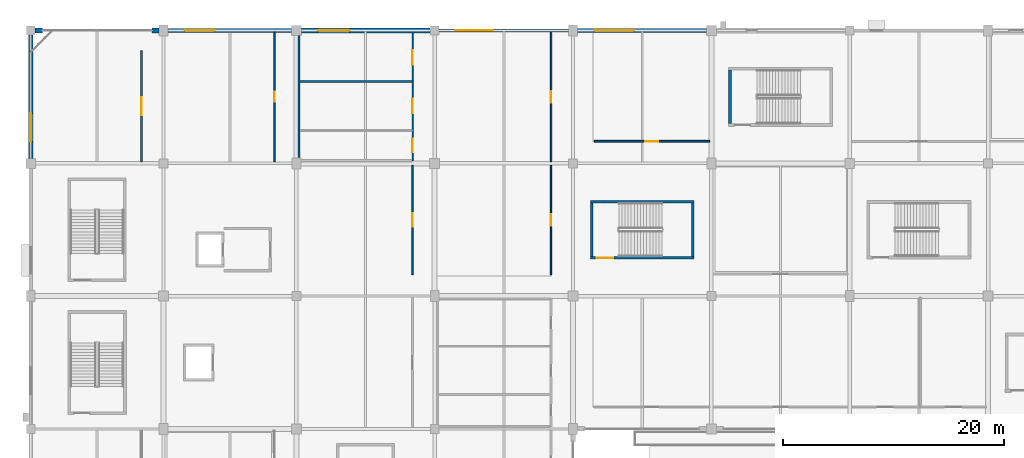
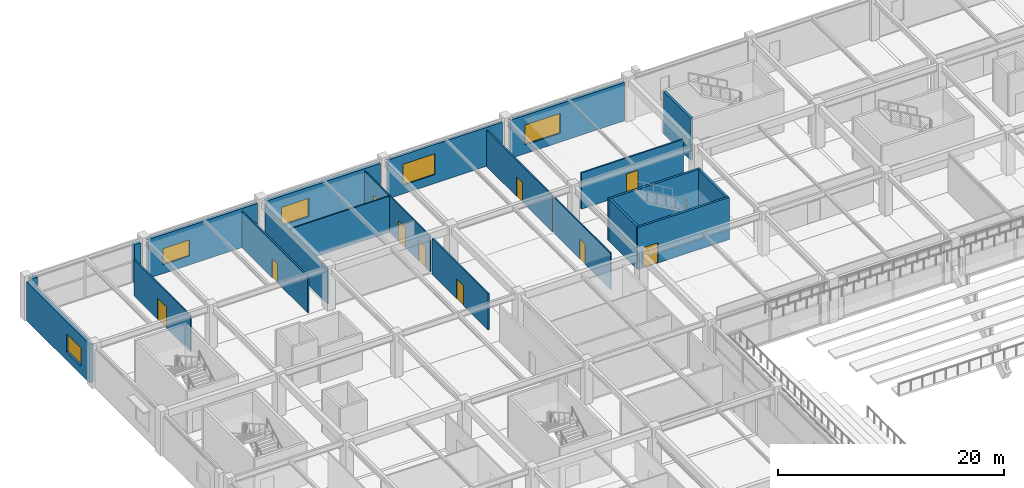
# One storey, part 88 of 134: 21 walls, 10 doors, 5 windows, 15 openings.
"""IFC4 building model written with IfcOpenShell, lengths in metres."""

from ifc_helpers import new_model, si_unit, direction, frame, frame_2d, origin, place, context, subcontext, project, spatial, rectangle, extrude, material, layer, layer_set, type_object, element, fill, save


model = new_model("IFC4")

# Units and contexts
model_context = context("Model", 3, precision=1e-05, world=origin(), true_north=direction((0.0, 1.0)))
body_context = subcontext(model_context, "Body", "Model", "MODEL_VIEW")
ifc_project = project(units=[si_unit("LENGTHUNIT", "METRE"), si_unit("AREAUNIT", "SQUARE_METRE"), si_unit("VOLUMEUNIT", "CUBIC_METRE"), si_unit("PLANEANGLEUNIT", "RADIAN"), si_unit("MASSUNIT", "GRAM", prefix="KILO")], contexts=[model_context])

# Site, building, storey
site_placement = place(None, origin())
site = spatial("IfcSite", under=ifc_project, at=site_placement, CompositionType="ELEMENT")
building_placement = place(site_placement, origin())
building = spatial("IfcBuilding", under=site, at=building_placement, Name="Kazenohara Klinker Stadium", CompositionType="ELEMENT")
storey_placement = place(building_placement, frame((0.0, 0.0, 5.39990234375)))
storey = spatial("IfcBuildingStorey", under=building, at=storey_placement, Name="L01", CompositionType="ELEMENT", Elevation=5.39990234375)

# Wall, opening, door
ifc_material_1 = material(Name="Concrete C40/50", Category="concrete")
ifc_layer_1 = layer(ifc_material_1, 0.22998046875)
ifc_layer_set_1 = layer_set([ifc_layer_1], Name="Concrete C40/50")
wall_type_1 = type_object("IfcWallType", Name="WAL-CORE-230", PredefinedType="SHEAR", material=ifc_layer_set_1)
wall_1_placement = place(storey_placement, frame((50.570068359375, 147.455078125, 0.0), z_axis=(0.0, 0.0, 1.0), x_axis=(1.0, 0.0, 0.0)))
wall_1 = element("IfcWall", 1, at=wall_1_placement, inside=storey, type_object=wall_type_1, Name="Stairwell shear wall ST08 L01 South", PredefinedType="SHEAR", context=body_context, shape_type="SweptSolid", body=[
    extrude(rectangle(XDim=9.35986328125, YDim=0.22998046875, at=frame_2d((4.679931640625, 0.0))), origin(), (0.0, 0.0, 1.0), 4.550048828125),
])
opening_1_placement = place(wall_1_placement, frame((0.550048828125, 0.0, 0.0)))
opening_1 = element("IfcOpeningElement", 2, at=opening_1_placement, cuts=wall_1, Name="Opening SD02", PredefinedType="OPENING", context=body_context, shape_type="SweptSolid", body=[
    extrude(rectangle(XDim=1.5, YDim=2.199951171875, at=frame_2d((0.75, 1.10009765625))), frame((0.0, 0.125, 0.0), z_axis=(0.0, -1.0, 0.0), x_axis=(1.0, 0.0, 0.0)), (0.0, 0.0, 1.0), 0.25),
])
ifc_material_2 = material(Name="Flush painted steel fire door leaf", Category="steel")
door_type_1 = type_object("IfcDoorType", Name="DR-STR-1500x2200", OperationType="NOTDEFINED", PredefinedType="DOOR", material=ifc_material_2)
door_1_placement = place(opening_1_placement, origin())
door_1 = element("IfcDoor", 3, at=door_1_placement, inside=storey, type_object=door_type_1, Name="Escape stairwell fire door ST08-L01", OperationType="SINGLE_SWING_RIGHT", OverallHeight=2.199951171875, OverallWidth=1.5, PredefinedType="DOOR", context=body_context, shape_type="SweptSolid", body=[
    extrude(rectangle(XDim=1.5, YDim=2.199951171875, at=frame_2d((0.75, 1.10009765625))), frame((0.0, 0.02490234375, 0.0), z_axis=(0.0, -1.0, 0.0), x_axis=(1.0, 0.0, 0.0)), (0.0, 0.0, 1.0), 0.050048828125),
])
fill(opening_1, door_1)

# Walls
wall_2_placement = place(storey_placement, frame((50.570068359375, 152.544921875, 0.0), z_axis=(0.0, 0.0, 1.0), x_axis=(1.0, 0.0, 0.0)))
element("IfcWall", 4, at=wall_2_placement, inside=storey, type_object=wall_type_1, Name="Stairwell shear wall ST08 L01 North", PredefinedType="SHEAR", context=body_context, shape_type="SweptSolid", body=[
    extrude(rectangle(XDim=9.35986328125, YDim=0.22998046875, at=frame_2d((4.679931640625, 0.0))), origin(), (0.0, 0.0, 1.0), 4.550048828125),
])
for number, where, z_axis, x_axis, name in (
    (5, (50.68505859375, 147.570068359375, 0.0), (0.0, 0.0, 1.0), (0.0, 1.0, 0.0), "Stairwell shear wall ST08 L01 West"),
    (6, (59.81494140625, 147.570068359375, 0.0), (0.0, 0.0, 1.0), (0.0, 1.0, 0.0), "Stairwell shear wall ST08 L01 East"),
):
    element("IfcWall", number, at=place(storey_placement, frame(where, z_axis=z_axis, x_axis=x_axis)), inside=storey, type_object=wall_type_1, Name=name, PredefinedType="SHEAR", context=body_context, shape_type="SweptSolid", body=[
        extrude(rectangle(XDim=4.85986328125, YDim=0.22998046875, at=frame_2d((2.429931640625, 0.0))), origin(), (0.0, 0.0, 1.0), 4.550048828125),
    ])
ifc_layer_2 = layer(ifc_material_1, 0.25)
ifc_layer_set_2 = layer_set([ifc_layer_2], Name="Concrete C40/50")
wall_type_2 = type_object("IfcWallType", Name="WAL-CORE-250", PredefinedType="SHEAR", material=ifc_layer_set_2)
wall_3_placement = place(storey_placement, frame((63.175048828125, 159.580078125, 0.0), z_axis=(0.0, 0.0, 1.0), x_axis=(0.0, 1.0, 0.0)))
element("IfcWall", 7, at=wall_3_placement, inside=storey, type_object=wall_type_2, Name="Stairwell shear wall ST15 L01 West", PredefinedType="SHEAR", context=body_context, shape_type="SweptSolid", body=[
    extrude(rectangle(XDim=4.83984375, YDim=0.25, at=frame_2d((2.419921875, 0.0))), origin(), (0.0, 0.0, 1.0), 4.550048828125),
])

# Wall, opening, window
ifc_material_3 = material(Name="Clinker brick masonry", Category="masonry")
ifc_layer_3 = layer(ifc_material_3, 0.280029296875)
ifc_layer_set_3 = layer_set([ifc_layer_3], Name="Clinker brick masonry")
wall_type_3 = type_object("IfcWallType", Name="WAL-EXT-CB280", PredefinedType="SOLIDWALL", material=ifc_layer_set_3)
wall_4_placement = place(storey_placement, frame((36.904052734375, 168.0, 0.0), z_axis=(0.0, 0.0, 1.0), x_axis=(1.0, 0.0, 0.0)))
wall_4 = element("IfcWall", 8, at=wall_4_placement, inside=storey, type_object=wall_type_3, Name="Clinker brick cavity wall EW06 L01 X3-14", PredefinedType="SOLIDWALL", context=body_context, shape_type="SweptSolid", body=[
    extrude(rectangle(XDim=11.69189453125, YDim=0.280029296875, at=frame_2d((5.845947265625, 0.0))), origin(), (0.0, 0.0, 1.0), 4.2001953125),
])
opening_2_placement = place(wall_4_placement, frame((1.5, 0.0, 0.949951171875)))
opening_2 = element("IfcOpeningElement", 9, at=opening_2_placement, cuts=wall_4, Name="Opening W34", PredefinedType="OPENING", context=body_context, shape_type="SweptSolid", body=[
    extrude(rectangle(XDim=3.300048828125, YDim=2.25, at=frame_2d((1.64990234375, 1.125))), frame((0.0, 0.14990234375, 0.0), z_axis=(0.0, -1.0, 0.0), x_axis=(1.0, 0.0, 0.0)), (0.0, 0.0, 1.0), 0.300048828125),
])
ifc_material_4 = material(Name="Dark bronze aluminium frame and triple glazing", Category="aluminium")
window_type_1 = type_object("IfcWindowType", Name="WIN-AS-34", PartitioningType="SINGLE_PANEL", PredefinedType="WINDOW", material=ifc_material_4)
window_1_placement = place(opening_2_placement, origin())
window_1 = element("IfcWindow", 10, at=window_1_placement, inside=storey, type_object=window_type_1, Name="Horizontal-mullion ladder window W34 L01 X3-14", OverallHeight=2.25, OverallWidth=3.300048828125, PartitioningType="SINGLE_PANEL", PredefinedType="WINDOW", context=body_context, shape_type="SweptSolid", body=[
    extrude(rectangle(XDim=3.300048828125, YDim=2.25, at=frame_2d((1.64990234375, 1.125))), frame((0.0, 0.030029296875, 0.0), z_axis=(0.0, -1.0, 0.0), x_axis=(1.0, 0.0, 0.0)), (0.0, 0.0, 1.0), 0.06005859375),
])
fill(opening_2, window_1)

ifc_layer_4 = layer(ifc_material_3, 0.340087890625)
ifc_layer_set_4 = layer_set([ifc_layer_4], Name="Clinker brick masonry")
wall_type_4 = type_object("IfcWallType", Name="WAL-EXT-CB340", PredefinedType="SOLIDWALL", material=ifc_layer_set_4)
wall_5_placement = place(storey_placement, frame((12.404052734375, 168.0, 0.0), z_axis=(0.0, 0.0, 1.0), x_axis=(1.0, 0.0, 0.0)))
wall_5 = element("IfcWall", 11, at=wall_5_placement, inside=storey, type_object=wall_type_4, Name="Clinker brick cavity wall EW04 L01 X1-14", PredefinedType="SOLIDWALL", context=body_context, shape_type="SweptSolid", body=[
    extrude(rectangle(XDim=11.141845703125, YDim=0.340087890625, at=frame_2d((5.57080078125, 0.0))), origin(), (0.0, 0.0, 1.0), 4.2001953125),
])
opening_3_placement = place(wall_5_placement, frame((1.5, 0.0, 0.949951171875)))
opening_3 = element("IfcOpeningElement", 12, at=opening_3_placement, cuts=wall_5, Name="Opening W27", PredefinedType="OPENING", context=body_context, shape_type="SweptSolid", body=[
    extrude(rectangle(XDim=2.699951171875, YDim=1.75, at=frame_2d((1.35009765625, 0.875))), frame((0.0, 0.18017578125, 0.0), z_axis=(0.0, -1.0, 0.0), x_axis=(1.0, 0.0, 0.0)), (0.0, 0.0, 1.0), 0.360107421875),
])
window_type_2 = type_object("IfcWindowType", Name="WIN-AS-27", PartitioningType="SINGLE_PANEL", PredefinedType="WINDOW", material=ifc_material_4)
window_2_placement = place(opening_3_placement, origin())
window_2 = element("IfcWindow", 13, at=window_2_placement, inside=storey, type_object=window_type_2, Name="Horizontal-mullion ladder window W27 L01 X1-14", OverallHeight=1.75, OverallWidth=2.699951171875, PartitioningType="SINGLE_PANEL", PredefinedType="WINDOW", context=body_context, shape_type="SweptSolid", body=[
    extrude(rectangle(XDim=2.699951171875, YDim=1.75, at=frame_2d((1.35009765625, 0.875))), frame((0.0, 0.030029296875, 0.0), z_axis=(0.0, -1.0, 0.0), x_axis=(1.0, 0.0, 0.0)), (0.0, 0.0, 1.0), 0.06005859375),
])
fill(opening_3, window_2)

wall_6_placement = place(storey_placement, frame((49.404052734375, 168.0, 0.0), z_axis=(0.0, 0.0, 1.0), x_axis=(1.0, 0.0, 0.0)))
wall_6 = element("IfcWall", 14, at=wall_6_placement, inside=storey, type_object=wall_type_4, Name="Clinker brick cavity wall EW04 L01 X4-14", PredefinedType="SOLIDWALL", context=body_context, shape_type="SweptSolid", body=[
    extrude(rectangle(XDim=11.641845703125, YDim=0.340087890625, at=frame_2d((5.82080078125, 0.0))), origin(), (0.0, 0.0, 1.0), 4.150146484375),
])
opening_4_placement = place(wall_6_placement, frame((1.5, 0.0, 0.949951171875)))
opening_4 = element("IfcOpeningElement", 15, at=opening_4_placement, cuts=wall_6, Name="Opening W36", PredefinedType="OPENING", context=body_context, shape_type="SweptSolid", body=[
    extrude(rectangle(XDim=3.60009765625, YDim=2.14990234375, at=frame_2d((1.800048828125, 1.074951171875))), frame((0.0, 0.18017578125, 0.0), z_axis=(0.0, -1.0, 0.0), x_axis=(1.0, 0.0, 0.0)), (0.0, 0.0, 1.0), 0.360107421875),
])
window_type_3 = type_object("IfcWindowType", Name="WIN-AS-36", PartitioningType="SINGLE_PANEL", PredefinedType="WINDOW", material=ifc_material_4)
window_3_placement = place(opening_4_placement, origin())
window_3 = element("IfcWindow", 16, at=window_3_placement, inside=storey, type_object=window_type_3, Name="Horizontal-mullion ladder window W36 L01 X4-14", OverallHeight=2.14990234375, OverallWidth=3.60009765625, PartitioningType="SINGLE_PANEL", PredefinedType="WINDOW", context=body_context, shape_type="SweptSolid", body=[
    extrude(rectangle(XDim=3.60009765625, YDim=2.14990234375, at=frame_2d((1.800048828125, 1.074951171875))), frame((0.0, 0.030029296875, 0.0), z_axis=(0.0, -1.0, 0.0), x_axis=(1.0, 0.0, 0.0)), (0.0, 0.0, 1.0), 0.06005859375),
])
fill(opening_4, window_3)

# Walls
ifc_layer_5 = layer(ifc_material_3, 0.409912109375)
ifc_layer_set_5 = layer_set([ifc_layer_5], Name="Clinker brick masonry")
wall_type_5 = type_object("IfcWallType", Name="WAL-EXT-CB410", PredefinedType="SOLIDWALL", material=ifc_layer_set_5)
for number, where, z_axis, x_axis, name in (
    (17, (0.404052734375, 168.0, 0.0), (0.0, 0.0, 1.0), (1.0, 0.0, 0.0), "Clinker brick curtain-wall jamb pier L01 X0-14 A"),
    (18, (10.946044921875, 168.0, 0.0), (0.0, 0.0, 1.0), (1.0, 0.0, 0.0), "Clinker brick curtain-wall jamb pier L01 X0-14 B"),
):
    element("IfcWall", number, at=place(storey_placement, frame(where, z_axis=z_axis, x_axis=x_axis)), inside=storey, type_object=wall_type_5, Name=name, PredefinedType="SOLIDWALL", context=body_context, shape_type="SweptSolid", body=[
        extrude(rectangle(XDim=0.64990234375, YDim=0.409912109375, at=frame_2d((0.324951171875, 0.0))), origin(), (0.0, 0.0, 1.0), 4.150146484375),
    ])

# Wall, opening, window
wall_7_placement = place(storey_placement, frame((0.0, 156.4541015625, 0.0), z_axis=(0.0, 0.0, 1.0), x_axis=(0.0, 1.0, 0.0)))
wall_7 = element("IfcWall", 19, at=wall_7_placement, inside=storey, type_object=wall_type_5, Name="Clinker brick cavity wall EW02 L01 Y0-13", PredefinedType="SOLIDWALL", context=body_context, shape_type="SweptSolid", body=[
    extrude(rectangle(XDim=11.141845703125, YDim=0.409912109375, at=frame_2d((5.57080078125, 0.0))), origin(), (0.0, 0.0, 1.0), 4.2001953125),
])
opening_5_placement = place(wall_7_placement, frame((1.5, 0.0, 0.949951171875)))
opening_5 = element("IfcOpeningElement", 20, at=opening_5_placement, cuts=wall_7, Name="Opening W26", PredefinedType="OPENING", context=body_context, shape_type="SweptSolid", body=[
    extrude(rectangle(XDim=2.550048828125, YDim=1.949951171875, at=frame_2d((1.27490234375, 0.97509765625))), frame((0.0, 0.21484375, 0.0), z_axis=(0.0, -1.0, 0.0), x_axis=(1.0, 0.0, 0.0)), (0.0, 0.0, 1.0), 0.429931640625),
])
window_type_4 = type_object("IfcWindowType", Name="WIN-AS-26", PartitioningType="SINGLE_PANEL", PredefinedType="WINDOW", material=ifc_material_4)
window_4_placement = place(opening_5_placement, origin())
window_4 = element("IfcWindow", 21, at=window_4_placement, inside=storey, type_object=window_type_4, Name="Horizontal-mullion ladder window W26 L01 Y0-13", OverallHeight=1.949951171875, OverallWidth=2.550048828125, PartitioningType="SINGLE_PANEL", PredefinedType="WINDOW", context=body_context, shape_type="SweptSolid", body=[
    extrude(rectangle(XDim=2.550048828125, YDim=1.949951171875, at=frame_2d((1.27490234375, 0.97509765625))), frame((0.0, 0.030029296875, 0.0), z_axis=(0.0, -1.0, 0.0), x_axis=(1.0, 0.0, 0.0)), (0.0, 0.0, 1.0), 0.06005859375),
])
fill(opening_5, window_4)

wall_8_placement = place(storey_placement, frame((24.4541015625, 168.0, 0.0), z_axis=(0.0, 0.0, 1.0), x_axis=(1.0, 0.0, 0.0)))
wall_8 = element("IfcWall", 22, at=wall_8_placement, inside=storey, type_object=wall_type_5, Name="Clinker brick cavity wall EW02 L01 X2-14", PredefinedType="SOLIDWALL", context=body_context, shape_type="SweptSolid", body=[
    extrude(rectangle(XDim=11.641845703125, YDim=0.409912109375, at=frame_2d((5.82080078125, 0.0))), origin(), (0.0, 0.0, 1.0), 4.150146484375),
])
opening_6_placement = place(wall_8_placement, frame((1.5, 0.0, 0.949951171875)))
opening_6 = element("IfcOpeningElement", 23, at=opening_6_placement, cuts=wall_8, Name="Opening W29", PredefinedType="OPENING", context=body_context, shape_type="SweptSolid", body=[
    extrude(rectangle(XDim=2.85009765625, YDim=2.0, at=frame_2d((1.425048828125, 1.0))), frame((0.0, 0.21484375, 0.0), z_axis=(0.0, -1.0, 0.0), x_axis=(1.0, 0.0, 0.0)), (0.0, 0.0, 1.0), 0.429931640625),
])
window_type_5 = type_object("IfcWindowType", Name="WIN-AS-29", PartitioningType="SINGLE_PANEL", PredefinedType="WINDOW", material=ifc_material_4)
window_5_placement = place(opening_6_placement, origin())
window_5 = element("IfcWindow", 24, at=window_5_placement, inside=storey, type_object=window_type_5, Name="Horizontal-mullion ladder window W29 L01 X2-14", OverallHeight=2.0, OverallWidth=2.85009765625, PartitioningType="SINGLE_PANEL", PredefinedType="WINDOW", context=body_context, shape_type="SweptSolid", body=[
    extrude(rectangle(XDim=2.85009765625, YDim=2.0, at=frame_2d((1.425048828125, 1.0))), frame((0.0, 0.030029296875, 0.0), z_axis=(0.0, -1.0, 0.0), x_axis=(1.0, 0.0, 0.0)), (0.0, 0.0, 1.0), 0.06005859375),
])
fill(opening_6, window_5)

# Wall, openings, doors
ifc_material_5 = material(Name="Fire-rated gypsum board on acoustic studs", Category="gypsum")
ifc_layer_6 = layer(ifc_material_5, 0.110107421875)
ifc_layer_set_6 = layer_set([ifc_layer_6], Name="Fire-rated gypsum board on acoustic studs")
wall_type_6 = type_object("IfcWallType", Name="WAL-INT-P110", PredefinedType="PARTITIONING", material=ifc_layer_set_6)
wall_9_placement = place(storey_placement, frame((34.510009765625, 156.239990234375, 0.0), z_axis=(0.0, 0.0, 1.0), x_axis=(0.0, 1.0, 0.0)))
wall_9 = element("IfcWall", 25, at=wall_9_placement, inside=storey, type_object=wall_type_6, Name="Interior partition wall PT01 SPC-L01-02-13-1-3", PredefinedType="PARTITIONING", context=body_context, shape_type="SweptSolid", body=[
    extrude(rectangle(XDim=11.552978515625, YDim=0.110107421875, at=frame_2d((5.7763671875, 0.0))), origin(), (0.0, 0.0, 1.0), 3.920166015625),
])
opening_7_placement = place(wall_9_placement, frame((0.753173828125, 0.0, 0.0)))
opening_7 = element("IfcOpeningElement", 26, at=opening_7_placement, cuts=wall_9, Name="Opening ID13", PredefinedType="OPENING", context=body_context, shape_type="SweptSolid", body=[
    extrude(rectangle(XDim=1.239990234375, YDim=2.219970703125, at=frame_2d((0.6201171875, 1.10986328125))), frame((0.0, 0.06494140625, 0.0), z_axis=(0.0, -1.0, 0.0), x_axis=(1.0, 0.0, 0.0)), (0.0, 0.0, 1.0), 0.130126953125),
])
opening_8_placement = place(wall_9_placement, frame((4.3046875, 0.0, 0.0)))
opening_8 = element("IfcOpeningElement", 27, at=opening_8_placement, cuts=wall_9, Name="Opening ID14", PredefinedType="OPENING", context=body_context, shape_type="SweptSolid", body=[
    extrude(rectangle(XDim=1.27001953125, YDim=2.199951171875, at=frame_2d((0.635009765625, 1.10009765625))), frame((0.0, 0.06494140625, 0.0), z_axis=(0.0, -1.0, 0.0), x_axis=(1.0, 0.0, 0.0)), (0.0, 0.0, 1.0), 0.130126953125),
])
opening_9_placement = place(wall_9_placement, frame((8.676513671875, 0.0, 0.0)))
opening_9 = element("IfcOpeningElement", 28, at=opening_9_placement, cuts=wall_9, Name="Opening ID15", PredefinedType="OPENING", context=body_context, shape_type="SweptSolid", body=[
    extrude(rectangle(XDim=1.300048828125, YDim=2.239990234375, at=frame_2d((0.64990234375, 1.1201171875))), frame((0.0, 0.06494140625, 0.0), z_axis=(0.0, -1.0, 0.0), x_axis=(1.0, 0.0, 0.0)), (0.0, 0.0, 1.0), 0.130126953125),
])
ifc_material_6 = material(Name="Solid-core Hokkaido oak fire door", Category="wood")
door_type_2 = type_object("IfcDoorType", Name="DR-INT-13", OperationType="NOTDEFINED", PredefinedType="DOOR", material=ifc_material_6)
door_2_placement = place(opening_7_placement, origin())
door_2 = element("IfcDoor", 29, at=door_2_placement, inside=storey, type_object=door_type_2, Name="Interior door ID13 Accessible Water Closet Restroom L01-0213A", OperationType="SINGLE_SWING_RIGHT", OverallHeight=2.219970703125, OverallWidth=1.239990234375, PredefinedType="DOOR", context=body_context, shape_type="SweptSolid", body=[
    extrude(rectangle(XDim=1.239990234375, YDim=2.219970703125, at=frame_2d((0.6201171875, 1.10986328125))), frame((0.0, 0.02490234375, 0.0), z_axis=(0.0, -1.0, 0.0), x_axis=(1.0, 0.0, 0.0)), (0.0, 0.0, 1.0), 0.050048828125),
])
fill(opening_7, door_2)
door_type_3 = type_object("IfcDoorType", Name="DR-INT-14", OperationType="NOTDEFINED", PredefinedType="DOOR", material=ifc_material_6)
door_3_placement = place(opening_8_placement, origin())
door_3 = element("IfcDoor", 30, at=door_3_placement, inside=storey, type_object=door_type_3, Name="Interior door ID14 Water Closet Restroom Male L01-0213B", OperationType="SINGLE_SWING_LEFT", OverallHeight=2.199951171875, OverallWidth=1.27001953125, PredefinedType="DOOR", context=body_context, shape_type="SweptSolid", body=[
    extrude(rectangle(XDim=1.27001953125, YDim=2.199951171875, at=frame_2d((0.635009765625, 1.10009765625))), frame((0.0, 0.02490234375, 0.0), z_axis=(0.0, -1.0, 0.0), x_axis=(1.0, 0.0, 0.0)), (0.0, 0.0, 1.0), 0.050048828125),
])
fill(opening_8, door_3)
door_type_4 = type_object("IfcDoorType", Name="DR-INT-15", OperationType="NOTDEFINED", PredefinedType="DOOR", material=ifc_material_6)
door_4_placement = place(opening_9_placement, origin())
door_4 = element("IfcDoor", 31, at=door_4_placement, inside=storey, type_object=door_type_4, Name="Interior door ID15 Water Closet Restroom Female L01-0213C", OperationType="SINGLE_SWING_RIGHT", OverallHeight=2.239990234375, OverallWidth=1.300048828125, PredefinedType="DOOR", context=body_context, shape_type="SweptSolid", body=[
    extrude(rectangle(XDim=1.300048828125, YDim=2.239990234375, at=frame_2d((0.64990234375, 1.1201171875))), frame((0.0, 0.02490234375, 0.0), z_axis=(0.0, -1.0, 0.0), x_axis=(1.0, 0.0, 0.0)), (0.0, 0.0, 1.0), 0.050048828125),
])
fill(opening_9, door_4)

# Wall, opening, door
wall_10_placement = place(storey_placement, frame((47.010009765625, 145.919921875, 0.0), z_axis=(0.0, 0.0, 1.0), x_axis=(0.0, 1.0, 0.0)))
wall_10 = element("IfcWall", 32, at=wall_10_placement, inside=storey, type_object=wall_type_6, Name="Interior partition wall PT01 SPC-L01-03-12-1-1", PredefinedType="PARTITIONING", context=body_context, shape_type="SweptSolid", body=[
    extrude(rectangle(XDim=9.920166015625, YDim=0.110107421875, at=frame_2d((4.9599609375, 0.0))), origin(), (0.0, 0.0, 1.0), 3.920166015625),
])
opening_10_placement = place(wall_10_placement, frame((4.4599609375, 0.0, 0.0)))
opening_10 = element("IfcOpeningElement", 33, at=opening_10_placement, cuts=wall_10, Name="Opening ID05", PredefinedType="OPENING", context=body_context, shape_type="SweptSolid", body=[
    extrude(rectangle(XDim=1.0, YDim=2.139892578125, at=frame_2d((0.5, 1.06982421875))), frame((0.0, 0.06494140625, 0.0), z_axis=(0.0, -1.0, 0.0), x_axis=(1.0, 0.0, 0.0)), (0.0, 0.0, 1.0), 0.130126953125),
])
door_type_5 = type_object("IfcDoorType", Name="DR-INT-05", OperationType="NOTDEFINED", PredefinedType="DOOR", material=ifc_material_6)
door_5_placement = place(opening_10_placement, origin())
door_5 = element("IfcDoor", 34, at=door_5_placement, inside=storey, type_object=door_type_5, Name="Interior door ID05 Supporter Scarf and Jersey Retail Shop L01-0312A", OperationType="SINGLE_SWING_RIGHT", OverallHeight=2.139892578125, OverallWidth=1.0, PredefinedType="DOOR", context=body_context, shape_type="SweptSolid", body=[
    extrude(rectangle(XDim=1.0, YDim=2.139892578125, at=frame_2d((0.5, 1.06982421875))), frame((0.0, 0.02490234375, 0.0), z_axis=(0.0, -1.0, 0.0), x_axis=(1.0, 0.0, 0.0)), (0.0, 0.0, 1.0), 0.050048828125),
])
fill(opening_10, door_5)

ifc_layer_7 = layer(ifc_material_5, 0.139892578125)
ifc_layer_set_7 = layer_set([ifc_layer_7], Name="Fire-rated gypsum board on acoustic studs")
wall_type_7 = type_object("IfcWallType", Name="WAL-INT-P140", PredefinedType="PARTITIONING", material=ifc_layer_set_7)
wall_11_placement = place(storey_placement, frame((10.010009765625, 156.159912109375, 0.0), z_axis=(0.0, 0.0, 1.0), x_axis=(0.0, 1.0, 0.0)))
wall_11 = element("IfcWall", 35, at=wall_11_placement, inside=storey, type_object=wall_type_7, Name="Interior partition wall PT03 SPC-L01-00-13-1-1", PredefinedType="PARTITIONING", context=body_context, shape_type="SweptSolid", body=[
    extrude(rectangle(XDim=9.989990234375, YDim=0.139892578125, at=frame_2d((4.9951171875, 0.0))), origin(), (0.0, 0.0, 1.0), 3.920166015625),
])
opening_11_placement = place(wall_11_placement, frame((4.195068359375, 0.0, 0.0)))
opening_11 = element("IfcOpeningElement", 36, at=opening_11_placement, cuts=wall_11, Name="Opening ID23", PredefinedType="OPENING", context=body_context, shape_type="SweptSolid", body=[
    extrude(rectangle(XDim=1.60009765625, YDim=2.300048828125, at=frame_2d((0.800048828125, 1.14990234375))), frame((0.0, 0.080078125, 0.0), z_axis=(0.0, -1.0, 0.0), x_axis=(1.0, 0.0, 0.0)), (0.0, 0.0, 1.0), 0.159912109375),
])
ifc_material_7 = material(Name="Painted steel plant fire door", Category="steel")
door_type_6 = type_object("IfcDoorType", Name="DR-INT-23", OperationType="NOTDEFINED", PredefinedType="DOOR", material=ifc_material_7)
door_6_placement = place(opening_11_placement, origin())
door_6 = element("IfcDoor", 37, at=door_6_placement, inside=storey, type_object=door_type_6, Name="Interior door ID23 Supporter Scarf and Jersey Retail Shop L01-0013A", OperationType="SINGLE_SWING_RIGHT", OverallHeight=2.300048828125, OverallWidth=1.60009765625, PredefinedType="DOOR", context=body_context, shape_type="SweptSolid", body=[
    extrude(rectangle(XDim=1.60009765625, YDim=2.300048828125, at=frame_2d((0.800048828125, 1.14990234375))), frame((0.0, 0.02490234375, 0.0), z_axis=(0.0, -1.0, 0.0), x_axis=(1.0, 0.0, 0.0)), (0.0, 0.0, 1.0), 0.050048828125),
])
fill(opening_11, door_6)

wall_12_placement = place(storey_placement, frame((34.510009765625, 145.919921875, 0.0), z_axis=(0.0, 0.0, 1.0), x_axis=(0.0, 1.0, 0.0)))
wall_12 = element("IfcWall", 38, at=wall_12_placement, inside=storey, type_object=wall_type_7, Name="Interior partition wall PT03 SPC-L01-02-12-1-1", PredefinedType="PARTITIONING", context=body_context, shape_type="SweptSolid", body=[
    extrude(rectangle(XDim=9.920166015625, YDim=0.139892578125, at=frame_2d((4.9599609375, 0.0))), origin(), (0.0, 0.0, 1.0), 3.920166015625),
])
opening_12_placement = place(wall_12_placement, frame((4.35498046875, 0.0, 0.0)))
opening_12 = element("IfcOpeningElement", 39, at=opening_12_placement, cuts=wall_12, Name="Opening ID12", PredefinedType="OPENING", context=body_context, shape_type="SweptSolid", body=[
    extrude(rectangle(XDim=1.2099609375, YDim=2.179931640625, at=frame_2d((0.60498046875, 1.08984375))), frame((0.0, 0.080078125, 0.0), z_axis=(0.0, -1.0, 0.0), x_axis=(1.0, 0.0, 0.0)), (0.0, 0.0, 1.0), 0.159912109375),
])
door_type_7 = type_object("IfcDoorType", Name="DR-INT-12", OperationType="NOTDEFINED", PredefinedType="DOOR", material=ifc_material_6)
door_7_placement = place(opening_12_placement, origin())
door_7 = element("IfcDoor", 40, at=door_7_placement, inside=storey, type_object=door_type_7, Name="Interior door ID12 Youth Sports Coaching Classroom L01-0212A", OperationType="SINGLE_SWING_LEFT", OverallHeight=2.179931640625, OverallWidth=1.2099609375, PredefinedType="DOOR", context=body_context, shape_type="SweptSolid", body=[
    extrude(rectangle(XDim=1.2099609375, YDim=2.179931640625, at=frame_2d((0.60498046875, 1.08984375))), frame((0.0, 0.02490234375, 0.0), z_axis=(0.0, -1.0, 0.0), x_axis=(1.0, 0.0, 0.0)), (0.0, 0.0, 1.0), 0.050048828125),
])
fill(opening_12, door_7)

# Wall
wall_13_placement = place(storey_placement, frame((24.340087890625, 163.39306640625, 0.0), z_axis=(0.0, 0.0, 1.0), x_axis=(1.0, 0.0, 0.0)))
element("IfcWall", 41, at=wall_13_placement, inside=storey, type_object=wall_type_7, Name="Interior partition wall PT03 SPC-L01-02-13-1-5", PredefinedType="PARTITIONING", context=body_context, shape_type="SweptSolid", body=[
    extrude(rectangle(XDim=10.10986328125, YDim=0.139892578125, at=frame_2d((5.054931640625, 0.0))), origin(), (0.0, 0.0, 1.0), 3.920166015625),
])

# Wall, opening, door
wall_14_placement = place(storey_placement, frame((47.010009765625, 156.159912109375, 0.0), z_axis=(0.0, 0.0, 1.0), x_axis=(0.0, 1.0, 0.0)))
wall_14 = element("IfcWall", 42, at=wall_14_placement, inside=storey, type_object=wall_type_7, Name="Interior partition wall PT03 SPC-L01-03-13-1-1", PredefinedType="PARTITIONING", context=body_context, shape_type="SweptSolid", body=[
    extrude(rectangle(XDim=11.697998046875, YDim=0.139892578125, at=frame_2d((5.84912109375, 0.0))), origin(), (0.0, 0.0, 1.0), 3.920166015625),
])
opening_13_placement = place(wall_14_placement, frame((5.324951171875, 0.0, 0.0)))
opening_13 = element("IfcOpeningElement", 43, at=opening_13_placement, cuts=wall_14, Name="Opening ID06", PredefinedType="OPENING", context=body_context, shape_type="SweptSolid", body=[
    extrude(rectangle(XDim=1.030029296875, YDim=2.1201171875, at=frame_2d((0.51513671875, 1.06005859375))), frame((0.0, 0.080078125, 0.0), z_axis=(0.0, -1.0, 0.0), x_axis=(1.0, 0.0, 0.0)), (0.0, 0.0, 1.0), 0.159912109375),
])
door_type_8 = type_object("IfcDoorType", Name="DR-INT-06", OperationType="NOTDEFINED", PredefinedType="DOOR", material=ifc_material_6)
door_8_placement = place(opening_13_placement, origin())
door_8 = element("IfcDoor", 44, at=door_8_placement, inside=storey, type_object=door_type_8, Name="Interior door ID06 Supporter Scarf and Jersey Retail Shop L01-0313A", OperationType="SINGLE_SWING_LEFT", OverallHeight=2.1201171875, OverallWidth=1.030029296875, PredefinedType="DOOR", context=body_context, shape_type="SweptSolid", body=[
    extrude(rectangle(XDim=1.030029296875, YDim=2.1201171875, at=frame_2d((0.51513671875, 1.06005859375))), frame((0.0, 0.02490234375, 0.0), z_axis=(0.0, -1.0, 0.0), x_axis=(1.0, 0.0, 0.0)), (0.0, 0.0, 1.0), 0.050048828125),
])
fill(opening_13, door_8)

ifc_layer_8 = layer(ifc_material_5, 0.14990234375)
ifc_layer_set_8 = layer_set([ifc_layer_8], Name="Fire-rated gypsum board on acoustic studs")
wall_type_8 = type_object("IfcWallType", Name="WAL-INT-P150", PredefinedType="PARTITIONING", material=ifc_layer_set_8)
wall_15_placement = place(storey_placement, frame((22.010009765625, 156.159912109375, 0.0), z_axis=(0.0, 0.0, 1.0), x_axis=(0.0, 1.0, 0.0)))
wall_15 = element("IfcWall", 45, at=wall_15_placement, inside=storey, type_object=wall_type_8, Name="Interior partition wall PT04 SPC-L01-01-13-1-1", PredefinedType="PARTITIONING", context=body_context, shape_type="SweptSolid", body=[
    extrude(rectangle(XDim=11.66796875, YDim=0.14990234375, at=frame_2d((5.833984375, 0.0))), origin(), (0.0, 0.0, 1.0), 3.920166015625),
])
opening_14_placement = place(wall_15_placement, frame((5.389892578125, 0.0, 0.0)))
opening_14 = element("IfcOpeningElement", 46, at=opening_14_placement, cuts=wall_15, Name="Opening ID01", PredefinedType="OPENING", context=body_context, shape_type="SweptSolid", body=[
    extrude(rectangle(XDim=0.89990234375, YDim=2.06005859375, at=frame_2d((0.449951171875, 1.030029296875))), frame((0.0, 0.0849609375, 0.0), z_axis=(0.0, -1.0, 0.0), x_axis=(1.0, 0.0, 0.0)), (0.0, 0.0, 1.0), 0.169921875),
])
door_type_9 = type_object("IfcDoorType", Name="DR-INT-01", OperationType="NOTDEFINED", PredefinedType="DOOR", material=ifc_material_6)
door_9_placement = place(opening_14_placement, origin())
door_9 = element("IfcDoor", 47, at=door_9_placement, inside=storey, type_object=door_type_9, Name="Interior door ID01 Community Martial Arts Fitness Studio L01-0113A", OperationType="SINGLE_SWING_RIGHT", OverallHeight=2.06005859375, OverallWidth=0.89990234375, PredefinedType="DOOR", context=body_context, shape_type="SweptSolid", body=[
    extrude(rectangle(XDim=0.89990234375, YDim=2.06005859375, at=frame_2d((0.449951171875, 1.030029296875))), frame((0.0, 0.02490234375, 0.0), z_axis=(0.0, -1.0, 0.0), x_axis=(1.0, 0.0, 0.0)), (0.0, 0.0, 1.0), 0.050048828125),
])
fill(opening_14, door_9)

wall_16_placement = place(storey_placement, frame((50.919921875, 157.989990234375, 0.0), z_axis=(0.0, 0.0, 1.0), x_axis=(1.0, 0.0, 0.0)))
wall_16 = element("IfcWall", 48, at=wall_16_placement, inside=storey, type_object=wall_type_8, Name="Interior partition wall PT04 SPC-L01-04-13-1-1", PredefinedType="PARTITIONING", context=body_context, shape_type="SweptSolid", body=[
    extrude(rectangle(XDim=10.420166015625, YDim=0.14990234375, at=frame_2d((5.2099609375, 0.0))), origin(), (0.0, 0.0, 1.0), 3.920166015625),
])
opening_15_placement = place(wall_16_placement, frame((4.6201171875, 0.0, 0.0)))
opening_15 = element("IfcOpeningElement", 49, at=opening_15_placement, cuts=wall_16, Name="Opening ID11", PredefinedType="OPENING", context=body_context, shape_type="SweptSolid", body=[
    extrude(rectangle(XDim=1.179931640625, YDim=2.199951171875, at=frame_2d((0.58984375, 1.10009765625))), frame((0.0, 0.0849609375, 0.0), z_axis=(0.0, -1.0, 0.0), x_axis=(1.0, 0.0, 0.0)), (0.0, 0.0, 1.0), 0.169921875),
])
door_type_10 = type_object("IfcDoorType", Name="DR-INT-11", OperationType="NOTDEFINED", PredefinedType="DOOR", material=ifc_material_6)
door_10_placement = place(opening_15_placement, origin())
door_10 = element("IfcDoor", 50, at=door_10_placement, inside=storey, type_object=door_type_10, Name="Interior door ID11 Lower Concourse Spectator Dining Pavilion L01-0413A", OperationType="SINGLE_SWING_RIGHT", OverallHeight=2.199951171875, OverallWidth=1.179931640625, PredefinedType="DOOR", context=body_context, shape_type="SweptSolid", body=[
    extrude(rectangle(XDim=1.179931640625, YDim=2.199951171875, at=frame_2d((0.58984375, 1.10009765625))), frame((0.0, 0.02490234375, 0.0), z_axis=(0.0, -1.0, 0.0), x_axis=(1.0, 0.0, 0.0)), (0.0, 0.0, 1.0), 0.050048828125),
])
fill(opening_15, door_10)

# Wall
ifc_layer_9 = layer(ifc_material_5, 0.18994140625)
ifc_layer_set_9 = layer_set([ifc_layer_9], Name="Fire-rated gypsum board on acoustic studs")
wall_type_9 = type_object("IfcWallType", Name="WAL-INT-P190", PredefinedType="PARTITIONING", material=ifc_layer_set_9)
wall_17_placement = place(storey_placement, frame((24.239990234375, 156.50390625, 0.0), z_axis=(0.0, 0.0, 1.0), x_axis=(0.0, 1.0, 0.0)))
element("IfcWall", 51, at=wall_17_placement, inside=storey, type_object=wall_type_9, Name="Interior partition wall PT06 SPC-L01-02-13-1-2", PredefinedType="PARTITIONING", context=body_context, shape_type="SweptSolid", body=[
    extrude(rectangle(XDim=11.0419921875, YDim=0.18994140625, at=frame_2d((5.52099609375, 0.0))), origin(), (0.0, 0.0, 1.0), 3.710205078125),
])

save(model, "model.ifc")
